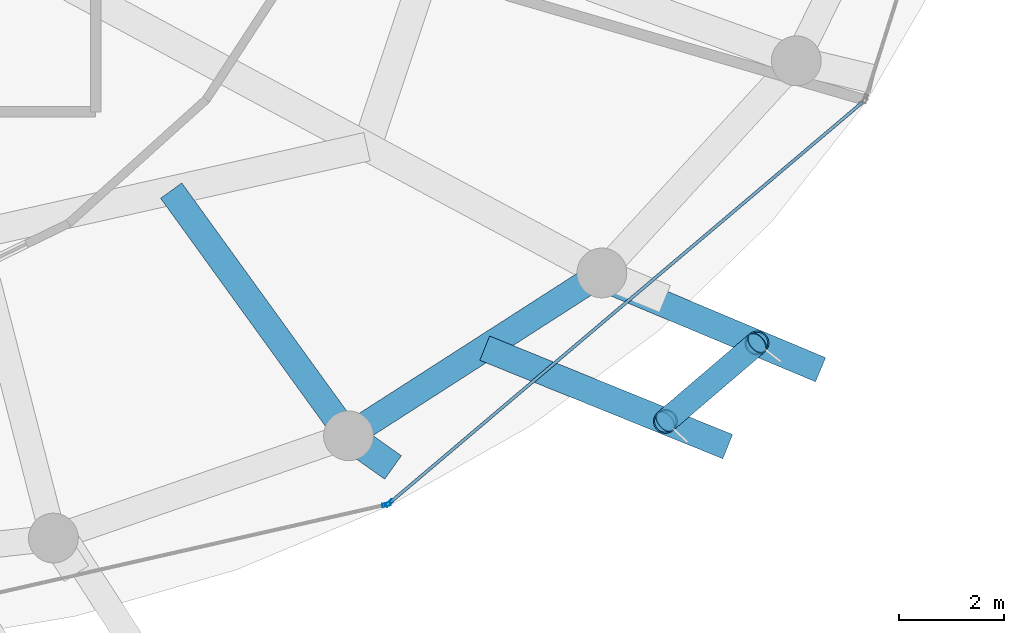
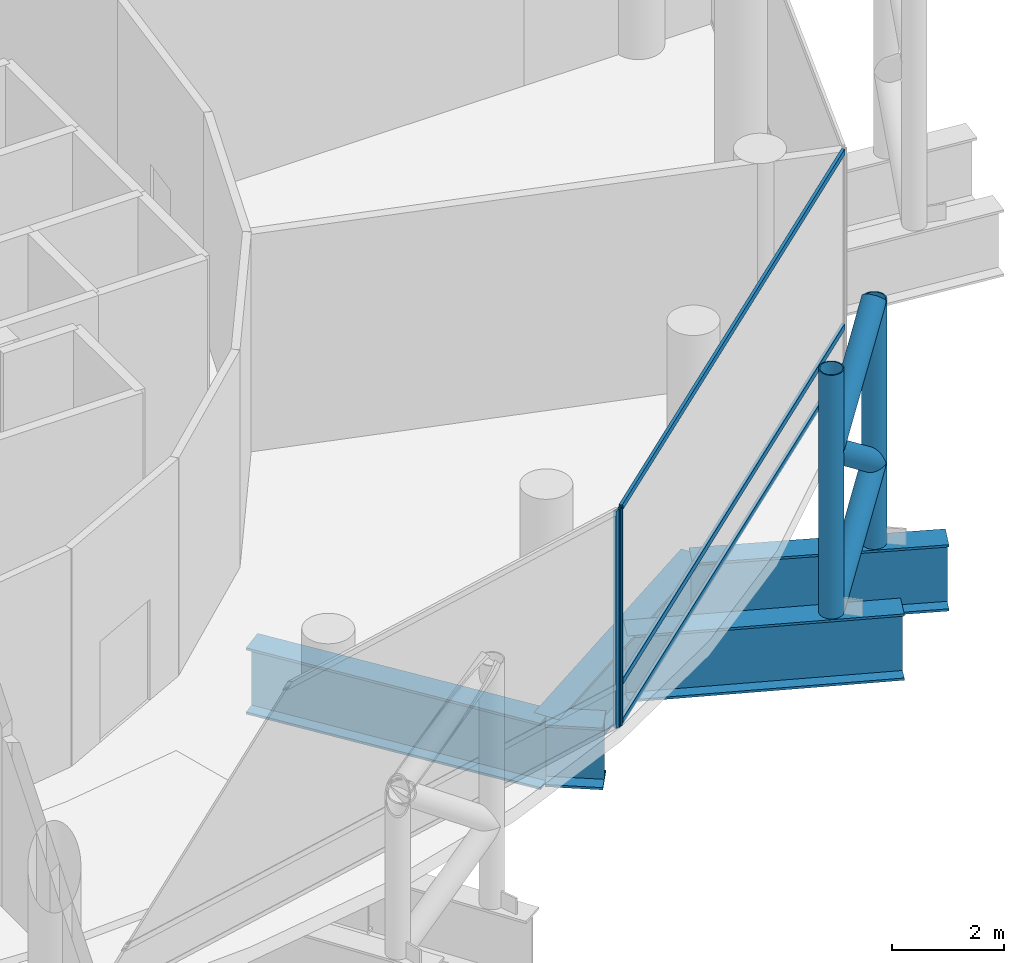
# One storey, part 8 of 29: 10 members, 5 beams, 2 elements without a shape of their own.
"""IFC4 building model written with IfcOpenShell, lengths in metres."""

import ifcopenshell
import ifcopenshell.guid

model = None  # the IFC model being written
_history = None  # IfcOwnerHistory: only IFC2X3 demands one
_inside = {}  # id of a spatial element -> (the spatial element, [elements in it])
_under = {}  # id of a project, library or spatial element -> (it, [spatial elements below it])
_declared = {}  # id of a project -> (the project, [libraries it declares])
_typed = {}  # id of a type object -> (the type object, [elements of that type])
_made_of = {}  # id of a material, layer set ... -> (it, [elements and type objects made of it])


def new_model(schema):
    """Start an empty IFC model of exactly this schema.

    Asked for "IFC4X3", IfcOpenShell would pick the latest addendum, in which some entities
    have other attributes; the version numbers below select the first issue.
    IFC2X3 requires an IfcOwnerHistory on every rooted entity: one is made here for all.
    """
    global model, _history
    if schema == "IFC4X3":
        model = ifcopenshell.file(schema_version=(4, 3, 0, 0))
    else:
        model = ifcopenshell.file(schema=schema)
    _inside.clear()
    _under.clear()
    _declared.clear()
    _typed.clear()
    _made_of.clear()
    _history = None
    if model.schema == "IFC2X3":
        org = make("IfcOrganization", Name="unknown")
        user = make(
            "IfcPersonAndOrganization",
            ThePerson=make("IfcPerson", FamilyName="unknown"),
            TheOrganization=org,
        )
        app = make(
            "IfcApplication",
            ApplicationDeveloper=org,
            Version="unknown",
            ApplicationFullName="unknown",
            ApplicationIdentifier="unknown",
        )
        _history = make(
            "IfcOwnerHistory",
            OwningUser=user,
            OwningApplication=app,
            ChangeAction="ADDED",
            CreationDate=0,
        )
    return model


def make(cls, **values):
    """One entity of the class cls with the attributes given. An attribute that is None is left unset."""
    return model.create_entity(
        cls, **{name: value for name, value in values.items() if value is not None}
    )


def rooted(cls, **values):
    """An entity with a GlobalId (a new one), such as an element, a storey or a relation."""
    return make(cls, GlobalId=ifcopenshell.guid.new(), OwnerHistory=_history, **values)


def si_unit(unit_type, name, prefix=None):
    """IfcSIUnit, for example si_unit("LENGTHUNIT", "METRE", prefix="MILLI")."""
    return make("IfcSIUnit", UnitType=unit_type, Prefix=prefix, Name=name)


def assignment(units):
    """IfcUnitAssignment: the units of a project."""
    return None if units is None else make("IfcUnitAssignment", Units=units)


def point(xyz):
    """IfcCartesianPoint."""
    return None if xyz is None else make("IfcCartesianPoint", Coordinates=xyz)


def direction(xyz):
    """IfcDirection."""
    return None if xyz is None else make("IfcDirection", DirectionRatios=xyz)


def frame(location, z_axis=None, x_axis=None):
    """IfcAxis2Placement3D, a coordinate frame: its origin and axes. An axis left out is left unset."""
    return make(
        "IfcAxis2Placement3D",
        Location=point(location),
        Axis=direction(z_axis),
        RefDirection=direction(x_axis),
    )


def frame_2d(location, x_axis=None):
    """IfcAxis2Placement2D, a coordinate frame in the plane: its origin and x axis."""
    return make(
        "IfcAxis2Placement2D", Location=point(location), RefDirection=direction(x_axis)
    )


def origin():
    """The frame at (0, 0, 0) with its axes left unset."""
    return frame((0.0, 0.0, 0.0))


def origin_2d():
    """The frame at (0, 0) in the plane with its x axis left unset."""
    return frame_2d((0.0, 0.0))


def place(relative_to, where):
    """IfcLocalPlacement: puts the frame where relative to a parent placement (None: the world)."""
    return make(
        "IfcLocalPlacement", PlacementRelTo=relative_to, RelativePlacement=where
    )


def context(
    kind, dimensions, precision=None, world=None, true_north=None, identifier=None
):
    """IfcGeometricRepresentationContext, for example the 3D "Model" context."""
    return make(
        "IfcGeometricRepresentationContext",
        ContextIdentifier=identifier,
        ContextType=kind,
        CoordinateSpaceDimension=dimensions,
        Precision=precision,
        WorldCoordinateSystem=world,
        TrueNorth=true_north,
    )


def subcontext(parent, identifier, kind, view, scale=None):
    """IfcGeometricRepresentationSubContext, for example "Body" below "Model"."""
    return make(
        "IfcGeometricRepresentationSubContext",
        ContextIdentifier=identifier,
        ContextType=kind,
        ParentContext=parent,
        TargetScale=scale,
        TargetView=view,
    )


def project(units=None, contexts=None):
    """IfcProject with its units and contexts."""
    return rooted(
        "IfcProject",
        Name="project",
        RepresentationContexts=contexts,
        UnitsInContext=assignment(units),
    )


def spatial(cls, under=None, at=None, **own):
    """A site, building, storey or space (cls), placed at a placement, below another one or the project."""
    s = rooted(cls, ObjectPlacement=at, **own)
    if under is not None:
        _under.setdefault(under.id(), (under, []))[1].append(s)
    return s


def profile(cls, at=None, kind="AREA", **sizes):
    """A parametric profile (cls). Its sizes go by their IFC names, for example OverallWidth=200.0."""
    return make(cls, ProfileType=kind, Position=at, **sizes)


def hollow_rectangle(**sizes):
    """IfcRectangleHollowProfileDef."""
    return profile("IfcRectangleHollowProfileDef", **sizes)


def hollow_circle(**sizes):
    """IfcCircleHollowProfileDef."""
    return profile("IfcCircleHollowProfileDef", **sizes)


def i_section(**sizes):
    """IfcIShapeProfileDef."""
    return profile("IfcIShapeProfileDef", **sizes)


def extrude(swept, where, along, depth):
    """IfcExtrudedAreaSolid: the profile swept, set in the frame where, extruded along a direction by depth."""
    return make(
        "IfcExtrudedAreaSolid",
        SweptArea=swept,
        Position=where,
        ExtrudedDirection=direction(along),
        Depth=depth,
    )


def shape(context_of_items, identifier, shape_type, items):
    """IfcShapeRepresentation: the items that make up one representation, for example the "Body"."""
    return make(
        "IfcShapeRepresentation",
        ContextOfItems=context_of_items,
        RepresentationIdentifier=identifier,
        RepresentationType=shape_type,
        Items=items,
    )


def material(Name=None, Category=None):
    """IfcMaterial."""
    return make("IfcMaterial", Name=Name, Category=Category)


def layer(
    of_material, thickness, ventilated=None, Name=None, Category=None, Priority=None
):
    """IfcMaterialLayer: one layer of a wall or slab, of a material (None: an air gap)."""
    return make(
        "IfcMaterialLayer",
        Material=of_material,
        LayerThickness=thickness,
        IsVentilated=ventilated,
        Name=Name,
        Category=Category,
        Priority=Priority,
    )


def layer_set(layers, Name=None):
    """IfcMaterialLayerSet."""
    return make("IfcMaterialLayerSet", MaterialLayers=layers, LayerSetName=Name)


def material_profile(
    of_material, cross_section, Name=None, Category=None, Priority=None
):
    """IfcMaterialProfile: a cross section and its material."""
    return make(
        "IfcMaterialProfile",
        Name=Name,
        Material=of_material,
        Profile=cross_section,
        Priority=Priority,
        Category=Category,
    )


def profile_set(profiles, Name=None, composite=None):
    """IfcMaterialProfileSet."""
    return make(
        "IfcMaterialProfileSet",
        Name=Name,
        MaterialProfiles=profiles,
        CompositeProfile=composite,
    )


def made_of(thing, what):
    """Note that an element or type object is made of a material, layer set ...; save() writes the relation."""
    if what is not None:
        _made_of.setdefault(what.id(), (what, []))[1].append(thing)
    return thing


def type_object(cls, material=None, **own):
    """A type object (cls), such as IfcWallType, which elements share."""
    return made_of(rooted(cls, **own), material)


def element(
    cls,
    number,
    at=None,
    inside=None,
    cuts=None,
    type_object=None,
    material=None,
    context=None,
    identifier="Body",
    shape_type=None,
    held_by="IfcProductDefinitionShape",
    body=None,
    shapes=None,
    **own,
):
    """One element of the class cls, such as IfcWall. Its Tag is "e" and its number.

    at: its placement. inside: the storey or other place that contains it. cuts: it is an
    opening in that element (IfcRelVoidsElement). A single representation is given by context,
    identifier, shape_type and body (its items); several are given by shapes. held_by: the class
    of the entity that holds the representations. save() writes the other relations.
    """
    e = rooted(cls, Tag="e%d" % number, ObjectPlacement=at, **own)
    if body is not None:
        shapes = [shape(context, identifier, shape_type, body)]
    if shapes is not None:
        e.Representation = make(held_by, Representations=shapes)
    if inside is not None:
        _inside.setdefault(inside.id(), (inside, []))[1].append(e)
    if cuts is not None:
        rooted(
            "IfcRelVoidsElement", RelatingBuildingElement=cuts, RelatedOpeningElement=e
        )
    if type_object is not None:
        _typed.setdefault(type_object.id(), (type_object, []))[1].append(e)
    return made_of(e, material)


def aggregate(whole, parts):
    """IfcRelAggregates: a whole, such as a stair, and the parts it consists of."""
    return rooted("IfcRelAggregates", RelatingObject=whole, RelatedObjects=parts)


def save(model, path):
    """Write the relations noted so far, then the file.

    IfcRelAggregates (storeys below a building ...), IfcRelContainedInSpatialStructure (elements
    in a storey), IfcRelDefinesByType, IfcRelAssociatesMaterial and IfcRelDeclares: one each for
    every whole, place, type object, material and project.
    """
    for whole, parts in _under.values():
        aggregate(whole, parts)
    for where, things in _inside.values():
        rooted(
            "IfcRelContainedInSpatialStructure",
            RelatedElements=things,
            RelatingStructure=where,
        )
    for kind, things in _typed.values():
        rooted("IfcRelDefinesByType", RelatedObjects=things, RelatingType=kind)
    for what, things in _made_of.values():
        rooted("IfcRelAssociatesMaterial", RelatedObjects=things, RelatingMaterial=what)
    for by, libraries in _declared.values():
        rooted("IfcRelDeclares", RelatingContext=by, RelatedDefinitions=libraries)
    model.write(path)


model = new_model("IFC4")

# Units and contexts
model_context = context("Model", 3, precision=1e-05, world=origin(), true_north=direction((0.0, 1.0)))
body_context = subcontext(model_context, "Body", "Model", "MODEL_VIEW")
ifc_project = project(units=[si_unit("LENGTHUNIT", "METRE"), si_unit("AREAUNIT", "SQUARE_METRE"), si_unit("VOLUMEUNIT", "CUBIC_METRE"), si_unit("PLANEANGLEUNIT", "RADIAN"), si_unit("MASSUNIT", "GRAM", prefix="KILO")], contexts=[model_context])

# Site, building, storey
site_placement = place(None, origin())
site = spatial("IfcSite", under=ifc_project, at=site_placement, CompositionType="ELEMENT")
building_placement = place(site_placement, origin())
building = spatial("IfcBuilding", under=site, at=building_placement, Name="Nuhasar Tower", CompositionType="ELEMENT")
storey_placement = place(building_placement, frame((0.0, 0.0, 113.25)))
storey = spatial("IfcBuildingStorey", under=building, at=storey_placement, Name="L26", CompositionType="ELEMENT", Elevation=113.25)

# Beams
ifc_material_1 = material(Name="Steel S460", Category="steel")
ifc_material_profile_1 = material_profile(ifc_material_1, i_section(OverallWidth=0.550048828125, OverallDepth=1.35009765625, WebThickness=0.028076171875, FlangeThickness=0.050048828125, at=origin_2d()), Name="PG1350X550")
ifc_profile_set_1 = profile_set([ifc_material_profile_1], Name="Steel S460")
beam_type_1 = type_object("IfcBeamType", Name="BM-XFER-PG1350", PredefinedType="USERDEFINED", material=ifc_profile_set_1)
beam_1_placement = place(storey_placement, frame((50.675048828125, 9.868896484375, -0.9951171875), z_axis=(0.81422311816, -0.58055207678, 0.0), x_axis=(0.58055207678, 0.81422311816, 0.0)))
element("IfcBeam", 1, at=beam_1_placement, inside=storey, type_object=beam_type_1, Name="L26 Outer Column Step Transfer Girder 21", ObjectType="GIRDER", PredefinedType="USERDEFINED", context=body_context, shape_type="SweptSolid", body=[
    extrude(i_section(OverallWidth=0.550048828125, OverallDepth=1.35009765625, WebThickness=0.028076171875, FlangeThickness=0.050048828125, at=origin_2d()), origin(), (0.0, 0.0, 1.0), 1.043701171875),
])
ifc_material_profile_2 = material_profile(ifc_material_1, i_section(OverallWidth=0.5, OverallDepth=1.449951171875, WebThickness=0.028076171875, FlangeThickness=0.050048828125, at=origin_2d()), Name="PG1450X500")
ifc_profile_set_2 = profile_set([ifc_material_profile_2], Name="Steel S460")
beam_type_2 = type_object("IfcBeamType", Name="BM-XFER-PG1450", PredefinedType="USERDEFINED", material=ifc_profile_set_2)
beam_2_placement = place(storey_placement, frame((50.675048828125, 9.868896484375, -1.044921875), z_axis=(0.841308170616, 0.540555789955, 0.0), x_axis=(-0.540555789955, 0.841308170616, 0.0)))
element("IfcBeam", 2, at=beam_2_placement, inside=storey, type_object=beam_type_2, Name="L26 Perimeter Ring Spandrel 21", ObjectType="GIRDER", PredefinedType="USERDEFINED", context=body_context, shape_type="SweptSolid", body=[
    extrude(i_section(OverallWidth=0.5, OverallDepth=1.449951171875, WebThickness=0.028076171875, FlangeThickness=0.050048828125, at=origin_2d()), origin(), (0.0, 0.0, 1.0), 5.748046875),
])
beam_3_placement = place(storey_placement, frame((47.291015625, 14.547119140625, -1.044921875), z_axis=(0.586095572045, -0.810241927099, 0.0), x_axis=(0.810241927099, 0.586095572045, 0.0)))
element("IfcBeam", 3, at=beam_3_placement, inside=storey, type_object=beam_type_2, Name="L26 Inner Column Transfer Girder 21", ObjectType="GIRDER", PredefinedType="USERDEFINED", context=body_context, shape_type="SweptSolid", body=[
    extrude(i_section(OverallWidth=0.5, OverallDepth=1.449951171875, WebThickness=0.028076171875, FlangeThickness=0.050048828125, at=origin_2d()), origin(), (0.0, 0.0, 1.0), 5.77392578125),
])
beam_4_placement = place(storey_placement, frame((53.27490234375, 11.5400390625, -1.044921875), z_axis=(0.926822339646, -0.375500134133, 0.0), x_axis=(0.375500134133, 0.926822339646, 0.0)))
element("IfcBeam", 4, at=beam_4_placement, inside=storey, type_object=beam_type_2, Name="L26 Exoskeleton Step Transfer Girder 21", ObjectType="GIRDER", PredefinedType="USERDEFINED", context=body_context, shape_type="SweptSolid", body=[
    extrude(i_section(OverallWidth=0.5, OverallDepth=1.449951171875, WebThickness=0.028076171875, FlangeThickness=0.050048828125, at=origin_2d()), origin(), (0.0, 0.0, 1.0), 5.00439453125),
])
beam_5_placement = place(storey_placement, frame((55.419921875, 12.9169921875, -1.044921875), z_axis=(0.922234459604, -0.386631092281, 0.0), x_axis=(0.386631092281, 0.922234459604, 0.0)))
element("IfcBeam", 5, at=beam_5_placement, inside=storey, type_object=beam_type_2, Name="L26 Exoskeleton Step Transfer Girder 22", ObjectType="GIRDER", PredefinedType="USERDEFINED", context=body_context, shape_type="SweptSolid", body=[
    extrude(i_section(OverallWidth=0.5, OverallDepth=1.449951171875, WebThickness=0.028076171875, FlangeThickness=0.050048828125, at=origin_2d()), origin(), (0.0, 0.0, 1.0), 4.624755859375),
])

# Curtain wall, member
ifc_material_2 = material(Name="Aluminium 6063-T6", Category="aluminium")
ifc_layer = layer(ifc_material_2, 0.239990234375)
ifc_layer_set = layer_set([ifc_layer], Name="Aluminium 6063-T6")
curtain_wall_type = type_object("IfcCurtainWallType", Name="CW-SKY-LBY", PredefinedType="NOTDEFINED", material=ifc_layer_set)
curtain_wall_1_placement = place(storey_placement, origin())
curtain_wall_1 = element("IfcCurtainWall", 6, at=curtain_wall_1_placement, inside=storey, type_object=curtain_wall_type, Name="L26 Unitised Curtain Wall 10", PredefinedType="NOTDEFINED")
ifc_material_profile_3 = material_profile(ifc_material_2, hollow_rectangle(XDim=0.06005859375, YDim=0.159912109375, WallThickness=0.0048828125, at=origin_2d()), Name="CWM-6")
ifc_profile_set_3 = profile_set([ifc_material_profile_3], Name="Aluminium 6063-T6")
member_type_1 = type_object("IfcMemberType", Name="CW-MUL-S6", PredefinedType="MULLION", material=ifc_profile_set_3)
member_1_placement = place(storey_placement, frame((51.400634765625, 8.555419921875, 0.0), z_axis=(0.0, 0.0, 1.0), x_axis=(-0.22139729566, 0.975183694221, 0.0)))
member_1 = element("IfcMember", 7, at=member_1_placement, type_object=member_type_1, Name="CW-SL mullion 2", PredefinedType="MULLION", context=body_context, shape_type="SweptSolid", body=[
    extrude(hollow_rectangle(XDim=0.06005859375, YDim=0.159912109375, WallThickness=0.0048828125, at=origin_2d()), origin(), (0.0, 0.0, 1.0), 4.75),
])
aggregate(curtain_wall_1, [member_1])

# Curtain wall, members
curtain_wall_2_placement = place(storey_placement, origin())
curtain_wall_2 = element("IfcCurtainWall", 8, at=curtain_wall_2_placement, inside=storey, type_object=curtain_wall_type, Name="L26 Unitised Curtain Wall 11", PredefinedType="NOTDEFINED")
member_2_placement = place(storey_placement, frame((51.452880859375, 8.581298828125, 0.0), z_axis=(0.0, 0.0, 1.0), x_axis=(-0.646374438324, 0.763020370292, 0.0)))
member_2 = element("IfcMember", 9, at=member_2_placement, type_object=member_type_1, Name="CW-SL mullion 1", PredefinedType="MULLION", context=body_context, shape_type="SweptSolid", body=[
    extrude(hollow_rectangle(XDim=0.06005859375, YDim=0.159912109375, WallThickness=0.0048828125, at=origin_2d()), origin(), (0.0, 0.0, 1.0), 4.75),
])
ifc_material_profile_4 = material_profile(ifc_material_2, hollow_rectangle(XDim=0.06005859375, YDim=0.1298828125, WallThickness=0.00439453125, at=origin_2d()), Name="CWT-6")
ifc_profile_set_4 = profile_set([ifc_material_profile_4], Name="Aluminium 6063-T6")
member_type_2 = type_object("IfcMemberType", Name="CW-TRN-S6", PredefinedType="USERDEFINED", material=ifc_profile_set_4)
member_3_placement = place(storey_placement, frame((51.475830078125, 8.600830078125, 0.030029296875), z_axis=(0.76301903182, 0.646376018336, 0.0), x_axis=(-0.646376018336, 0.76301903182, 0.0)))
member_3 = element("IfcMember", 10, at=member_3_placement, type_object=member_type_2, Name="CW-SL transom 1.1", ObjectType="TRANSOM", PredefinedType="USERDEFINED", context=body_context, shape_type="SweptSolid", body=[
    extrude(hollow_rectangle(XDim=0.06005859375, YDim=0.1298828125, WallThickness=0.00439453125, at=origin_2d()), origin(), (0.0, 0.0, 1.0), 11.804931640625),
])
member_4_placement = place(storey_placement, frame((51.475830078125, 8.600830078125, 0.89990234375), z_axis=(0.76301903182, 0.646376018336, 0.0), x_axis=(-0.646376018336, 0.76301903182, 0.0)))
member_4 = element("IfcMember", 11, at=member_4_placement, type_object=member_type_2, Name="CW-SL transom 1.2", ObjectType="TRANSOM", PredefinedType="USERDEFINED", context=body_context, shape_type="SweptSolid", body=[
    extrude(hollow_rectangle(XDim=0.06005859375, YDim=0.1298828125, WallThickness=0.00439453125, at=origin_2d()), origin(), (0.0, 0.0, 1.0), 11.804931640625),
])
member_5_placement = place(storey_placement, frame((51.475830078125, 8.600830078125, 4.719970703125), z_axis=(0.76301903182, 0.646376018336, 0.0), x_axis=(-0.646376018336, 0.76301903182, 0.0)))
member_5 = element("IfcMember", 12, at=member_5_placement, type_object=member_type_2, Name="CW-SL transom 1.3", ObjectType="TRANSOM", PredefinedType="USERDEFINED", context=body_context, shape_type="SweptSolid", body=[
    extrude(hollow_rectangle(XDim=0.06005859375, YDim=0.1298828125, WallThickness=0.00439453125, at=origin_2d()), origin(), (0.0, 0.0, 1.0), 11.804931640625),
])
aggregate(curtain_wall_2, [member_2, member_3, member_4, member_5])

# Members
ifc_material_profile_5 = material_profile(ifc_material_1, hollow_circle(Radius=0.228515625, WallThickness=0.022216796875, at=origin_2d()), Name="HSS457X22.2")
ifc_profile_set_5 = profile_set([ifc_material_profile_5], Name="Steel S460")
member_type_3 = type_object("IfcMemberType", Name="EXO-BRONZE-457", PredefinedType="BRACE", material=ifc_profile_set_5)
for number, where, z_axis, x_axis, name in (
    (13, (56.722900390625, 10.14306640625, -0.320068359375), (0.0, 0.0, 1.0), (1.0, 0.0, 0.0), "L26 Exoskeleton Chord Column EC-11A"),
    (14, (58.470947265625, 11.637939453125, -0.320068359375), (0.0, 0.0, 1.0), (1.0, 0.0, 0.0), "L26 Exoskeleton Chord Column EC-11B"),
):
    element("IfcMember", number, at=place(storey_placement, frame(where, z_axis=z_axis, x_axis=x_axis)), inside=storey, type_object=member_type_3, Name=name, PredefinedType="BRACE", context=body_context, shape_type="SweptSolid", body=[
        extrude(hollow_circle(Radius=0.228515625, WallThickness=0.022216796875, at=origin_2d()), origin(), (0.0, 0.0, 1.0), 5.320068359375),
    ])
member_6_placement = place(storey_placement, frame((56.722900390625, 10.14306640625, -0.320068359375), z_axis=(0.601928591151, 0.514749827321, 0.610503551528), x_axis=(-0.649925557156, 0.7599978751, 0.0)))
element("IfcMember", 15, at=member_6_placement, inside=storey, type_object=member_type_3, Name="L26 Bronze Diagrid Brace W1-11", PredefinedType="BRACE", context=body_context, shape_type="SweptSolid", body=[
    extrude(hollow_circle(Radius=0.228515625, WallThickness=0.022216796875, at=origin_2d()), origin(), (0.0, 0.0, 1.0), 2.904052734375),
])
member_7_placement = place(storey_placement, frame((58.470947265625, 11.637939453125, 1.452880859375), z_axis=(-0.601774130659, -0.514617737713, 0.610767123952), x_axis=(0.649925557156, -0.7599978751, 0.0)))
element("IfcMember", 16, at=member_7_placement, inside=storey, type_object=member_type_3, Name="L26 Bronze Diagrid Brace W2-11", PredefinedType="BRACE", context=body_context, shape_type="SweptSolid", body=[
    extrude(hollow_circle(Radius=0.228515625, WallThickness=0.022216796875, at=origin_2d()), origin(), (0.0, 0.0, 1.0), 2.90478515625),
])
member_8_placement = place(storey_placement, frame((56.722900390625, 10.14306640625, 3.22705078125), z_axis=(0.601928591151, 0.514749827321, 0.610503551528), x_axis=(-0.649925557156, 0.7599978751, 0.0)))
element("IfcMember", 17, at=member_8_placement, inside=storey, type_object=member_type_3, Name="L26 Bronze Diagrid Brace W3-11", PredefinedType="BRACE", context=body_context, shape_type="SweptSolid", body=[
    extrude(hollow_circle(Radius=0.228515625, WallThickness=0.022216796875, at=origin_2d()), origin(), (0.0, 0.0, 1.0), 2.904052734375),
])

save(model, "model.ifc")
